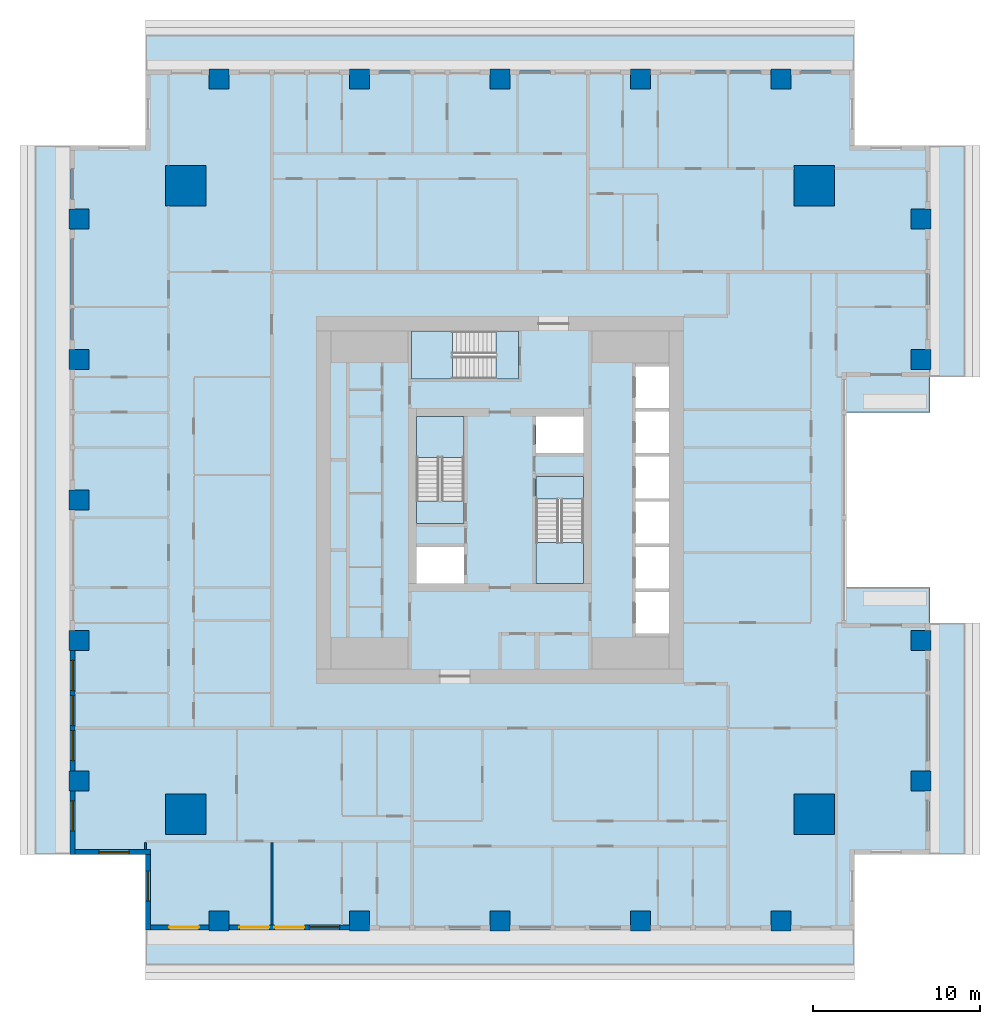
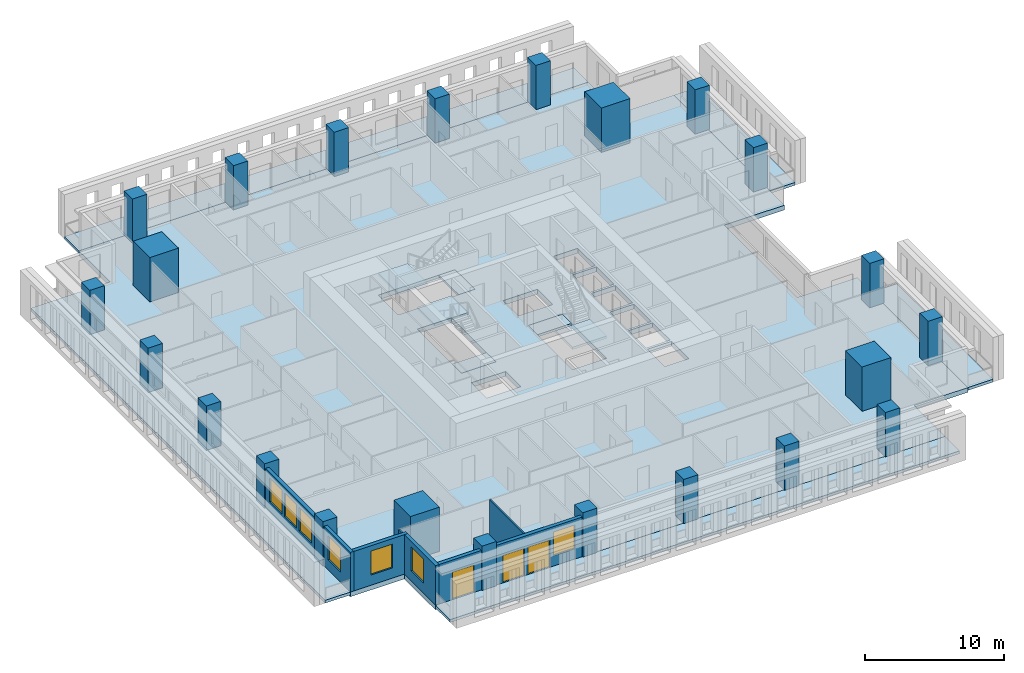
# One storey, part 1 of 16: 23 columns, 12 slabs, 8 walls, 7 windows, 3 doors, 10 openings, 3 elements without a shape of their own.
"""IFC4 building model written with IfcOpenShell, lengths in metres."""

from ifc_helpers import new_model, si_unit, direction, frame, frame_2d, origin, origin_2d, place, context, subcontext, project, spatial, polyline, rectangle, outline, extrude, material, layer, layer_set, material_profile, profile_set, type_object, element, fill, aggregate, save


model = new_model("IFC4")

# Units and contexts
model_context = context("Model", 3, precision=1e-05, world=origin(), true_north=direction((0.0, 1.0)))
body_context = subcontext(model_context, "Body", "Model", "MODEL_VIEW")
ifc_project = project(units=[si_unit("LENGTHUNIT", "METRE"), si_unit("AREAUNIT", "SQUARE_METRE"), si_unit("VOLUMEUNIT", "CUBIC_METRE"), si_unit("PLANEANGLEUNIT", "RADIAN"), si_unit("MASSUNIT", "GRAM", prefix="KILO")], contexts=[model_context])

# Site, building, storey
site_placement = place(None, origin())
site = spatial("IfcSite", under=ifc_project, at=site_placement, CompositionType="ELEMENT")
building_placement = place(site_placement, origin())
building = spatial("IfcBuilding", under=site, at=building_placement, Name="Khepri Terraces", CompositionType="ELEMENT")
storey_placement = place(building_placement, frame((0.0, 0.0, 204.0)))
storey = spatial("IfcBuildingStorey", under=building, at=storey_placement, Name="L48", CompositionType="ELEMENT", Elevation=204.0)

# Columns
ifc_material_1 = material(Name="Concrete C50/60", Category="concrete")
ifc_material_profile_1 = material_profile(ifc_material_1, rectangle(XDim=2.39990234375, YDim=2.39990234375, at=origin_2d()), Name="Concrete C50/60", Category="concrete")
ifc_profile_set_1 = profile_set([ifc_material_profile_1], Name="Concrete C50/60")
column_type_1 = type_object("IfcColumnType", Name="Mega column RC 2400x2400 C50/60", PredefinedType="COLUMN", material=ifc_profile_set_1)
for number, where, z_axis, x_axis, name in (
    (1, (18.800048828125, 18.800048828125, 0.0), (0.0, 0.0, 1.0), (1.0, 0.0, 0.0), "Mega column MEN L48"),
    (2, (18.800048828125, -18.800048828125, 0.0), (0.0, 0.0, 1.0), (1.0, 0.0, 0.0), "Mega column MES L48"),
    (3, (-18.800048828125, 18.800048828125, 0.0), (0.0, 0.0, 1.0), (1.0, 0.0, 0.0), "Mega column MWN L48"),
    (4, (-18.800048828125, -18.800048828125, 0.0), (0.0, 0.0, 1.0), (1.0, 0.0, 0.0), "Mega column MWS L48"),
):
    element("IfcColumn", number, at=place(storey_placement, frame(where, z_axis=z_axis, x_axis=x_axis)), inside=storey, type_object=column_type_1, Name=name, PredefinedType="COLUMN", context=body_context, shape_type="SweptSolid", body=[
        extrude(rectangle(XDim=2.39990234375, YDim=2.39990234375, at=origin_2d()), origin(), (0.0, 0.0, 1.0), 3.89990234375),
    ])
ifc_material_profile_2 = material_profile(ifc_material_1, rectangle(XDim=1.199951171875, YDim=1.199951171875, at=origin_2d()), Name="Concrete C50/60", Category="concrete")
ifc_profile_set_2 = profile_set([ifc_material_profile_2], Name="Concrete C50/60")
column_type_2 = type_object("IfcColumnType", Name="Tower column RC 1200x1200 C50/60", PredefinedType="COLUMN", material=ifc_profile_set_2)
for number, where, z_axis, x_axis, name in (
    (5, (25.199951171875, 8.39990234375, 0.0), (0.0, 0.0, 1.0), (1.0, 0.0, 0.0), "Perimeter column PE+084a L48"),
    (6, (25.199951171875, 16.800048828125, 0.0), (0.0, 0.0, 1.0), (1.0, 0.0, 0.0), "Perimeter column PE+168a L48"),
    (7, (25.199951171875, -8.39990234375, 0.0), (0.0, 0.0, 1.0), (1.0, 0.0, 0.0), "Perimeter column PE-084a L48"),
    (8, (25.199951171875, -16.800048828125, 0.0), (0.0, 0.0, 1.0), (1.0, 0.0, 0.0), "Perimeter column PE-168a L48"),
    (9, (0.0, 25.199951171875, 0.0), (0.0, 0.0, 1.0), (1.0, 0.0, 0.0), "Perimeter column PN+000b L48"),
    (10, (-8.39990234375, 25.199951171875, 0.0), (0.0, 0.0, 1.0), (1.0, 0.0, 0.0), "Perimeter column PN+084b L48"),
    (11, (-16.800048828125, 25.199951171875, 0.0), (0.0, 0.0, 1.0), (1.0, 0.0, 0.0), "Perimeter column PN+168a L48"),
    (12, (8.39990234375, 25.199951171875, 0.0), (0.0, 0.0, 1.0), (1.0, 0.0, 0.0), "Perimeter column PN-084b L48"),
    (13, (16.800048828125, 25.199951171875, 0.0), (0.0, 0.0, 1.0), (1.0, 0.0, 0.0), "Perimeter column PN-168a L48"),
    (14, (0.0, -25.199951171875, 0.0), (0.0, 0.0, 1.0), (1.0, 0.0, 0.0), "Perimeter column PS+000b L48"),
    (15, (8.39990234375, -25.199951171875, 0.0), (0.0, 0.0, 1.0), (1.0, 0.0, 0.0), "Perimeter column PS+084b L48"),
    (16, (16.800048828125, -25.199951171875, 0.0), (0.0, 0.0, 1.0), (1.0, 0.0, 0.0), "Perimeter column PS+168a L48"),
    (17, (-8.39990234375, -25.199951171875, 0.0), (0.0, 0.0, 1.0), (1.0, 0.0, 0.0), "Perimeter column PS-084b L48"),
    (18, (-16.800048828125, -25.199951171875, 0.0), (0.0, 0.0, 1.0), (1.0, 0.0, 0.0), "Perimeter column PS-168a L48"),
    (19, (-25.199951171875, 0.0, 0.0), (0.0, 0.0, 1.0), (1.0, 0.0, 0.0), "Perimeter column PW+000b L48"),
    (20, (-25.199951171875, -8.39990234375, 0.0), (0.0, 0.0, 1.0), (1.0, 0.0, 0.0), "Perimeter column PW+084b L48"),
    (21, (-25.199951171875, -16.800048828125, 0.0), (0.0, 0.0, 1.0), (1.0, 0.0, 0.0), "Perimeter column PW+168a L48"),
    (22, (-25.199951171875, 8.39990234375, 0.0), (0.0, 0.0, 1.0), (1.0, 0.0, 0.0), "Perimeter column PW-084b L48"),
    (23, (-25.199951171875, 16.800048828125, 0.0), (0.0, 0.0, 1.0), (1.0, 0.0, 0.0), "Perimeter column PW-168a L48"),
):
    element("IfcColumn", number, at=place(storey_placement, frame(where, z_axis=z_axis, x_axis=x_axis)), inside=storey, type_object=column_type_2, Name=name, PredefinedType="COLUMN", context=body_context, shape_type="SweptSolid", body=[
        extrude(rectangle(XDim=1.199951171875, YDim=1.199951171875, at=origin_2d()), origin(), (0.0, 0.0, 1.0), 3.89990234375),
    ])

# Slabs
ifc_material_2 = material(Name="Concrete C40/50", Category="concrete")
ifc_layer_1 = layer(ifc_material_2, 0.419921875, Name="Concrete C40/50", Category="concrete")
ifc_layer_set_1 = layer_set([ifc_layer_1], Name="Concrete C40/50")
slab_type_1 = type_object("IfcSlabType", Name="Flat plate 420", PredefinedType="FLOOR", material=ifc_layer_set_1)
slab_1_placement = place(storey_placement, frame((0.0, 0.0, -0.419921875)))
element("IfcSlab", 24, at=slab_1_placement, inside=storey, type_object=slab_type_1, Name="Floor slab F01 L48", PredefinedType="FLOOR", context=body_context, shape_type="SweptSolid", body=[
    extrude(outline(polyline([(21.219970703125, 25.719970703125), (21.219970703125, 21.219970703125), (25.719970703125, 21.219970703125), (25.719970703125, 7.35009765625), (25.719970703125, 5.25), (20.719970703125, 5.25), (20.719970703125, -5.25), (25.719970703125, -5.25), (25.719970703125, -7.35009765625), (25.719970703125, -21.219970703125), (21.219970703125, -21.219970703125), (21.219970703125, -25.719970703125), (-21.219970703125, -25.719970703125), (-21.219970703125, -21.219970703125), (-25.719970703125, -21.219970703125), (-25.719970703125, 21.219970703125), (-21.219970703125, 21.219970703125), (-21.219970703125, 25.719970703125), (21.219970703125, 25.719970703125)]), holes=[polyline([(2.14990234375, 2.800048828125), (5.0, 2.800048828125), (5.0, 5.0), (2.14990234375, 5.0), (2.14990234375, 2.800048828125)]), polyline([(-5.0, -2.800048828125), (-5.0, -5.0), (-2.14990234375, -5.0), (-2.14990234375, -2.800048828125), (-5.0, -2.800048828125)]), polyline([(10.10009765625, -5.5), (8.10009765625, -5.5), (8.10009765625, -8.0), (10.10009765625, -8.0), (10.10009765625, -5.5)]), polyline([(10.10009765625, -5.300048828125), (10.10009765625, -2.800048828125), (8.10009765625, -2.800048828125), (8.10009765625, -5.300048828125), (10.10009765625, -5.300048828125)]), polyline([(8.10009765625, -2.60009765625), (10.10009765625, -2.60009765625), (10.10009765625, -0.10009765625), (8.10009765625, -0.10009765625), (8.10009765625, -2.60009765625)]), polyline([(8.10009765625, 2.60009765625), (8.10009765625, 0.10009765625), (10.10009765625, 0.10009765625), (10.10009765625, 2.60009765625), (8.10009765625, 2.60009765625)]), polyline([(10.10009765625, 5.300048828125), (8.10009765625, 5.300048828125), (8.10009765625, 2.800048828125), (10.10009765625, 2.800048828125), (10.10009765625, 5.300048828125)]), polyline([(10.10009765625, 5.5), (10.10009765625, 8.0), (8.10009765625, 8.0), (8.10009765625, 5.5), (10.10009765625, 5.5)]), polyline([(-5.0, -1.39990234375), (-2.14990234375, -1.39990234375), (-2.14990234375, 5.0), (-5.0, 5.0), (-5.0, -1.39990234375)]), polyline([(5.0, -5.0), (5.0, 1.39990234375), (2.14990234375, 1.39990234375), (2.14990234375, -5.0), (5.0, -5.0)]), polyline([(-5.300048828125, 10.10009765625), (-5.300048828125, 7.25), (1.10009765625, 7.25), (1.10009765625, 10.10009765625), (-5.300048828125, 10.10009765625)])]), origin(), (0.0, 0.0, 1.0), 0.419921875),
])
ifc_material_3 = material(Name="Precast concrete C50/60 warm stone", Category="masonry")
ifc_layer_2 = layer(ifc_material_3, 0.25, Name="Precast concrete C50/60 warm stone", Category="masonry")
ifc_layer_set_2 = layer_set([ifc_layer_2], Name="Precast concrete C50/60 warm stone")
slab_type_2 = type_object("IfcSlabType", Name="SLB-BALCONY-250", PredefinedType="FLOOR", material=ifc_layer_set_2)
slab_2_placement = place(storey_placement, frame((0.0, 0.0, -0.25)))
element("IfcSlab", 25, at=slab_2_placement, inside=storey, type_object=slab_type_2, Name="Balcony slab L48 S", PredefinedType="FLOOR", context=body_context, shape_type="SweptSolid", body=[
    extrude(outline(polyline([(-17.39990234375, -25.719970703125), (-21.219970703125, -25.719970703125), (-21.219970703125, -27.820068359375), (21.219970703125, -27.820068359375), (21.219970703125, -25.719970703125), (17.39990234375, -25.719970703125), (17.39990234375, -25.800048828125), (16.199951171875, -25.800048828125), (16.199951171875, -25.719970703125), (9.0, -25.719970703125), (9.0, -25.800048828125), (7.800048828125, -25.800048828125), (7.800048828125, -25.719970703125), (0.60009765625, -25.719970703125), (0.60009765625, -25.800048828125), (-0.60009765625, -25.800048828125), (-0.60009765625, -25.719970703125), (-7.800048828125, -25.719970703125), (-7.800048828125, -25.800048828125), (-9.0, -25.800048828125), (-9.0, -25.719970703125), (-16.199951171875, -25.719970703125), (-16.199951171875, -25.800048828125), (-17.39990234375, -25.800048828125), (-17.39990234375, -25.719970703125)])), origin(), (0.0, 0.0, 1.0), 0.25),
])
slab_3_placement = place(storey_placement, frame((0.0, 0.0, -0.25)))
element("IfcSlab", 26, at=slab_3_placement, inside=storey, type_object=slab_type_2, Name="Balcony slab L48 E", PredefinedType="FLOOR", context=body_context, shape_type="SweptSolid", body=[
    extrude(outline(polyline([(25.719970703125, -17.39990234375), (25.719970703125, -21.219970703125), (27.820068359375, -21.219970703125), (27.820068359375, -7.35009765625), (25.719970703125, -7.35009765625), (25.719970703125, -7.800048828125), (25.800048828125, -7.800048828125), (25.800048828125, -9.0), (25.719970703125, -9.0), (25.719970703125, -16.199951171875), (25.800048828125, -16.199951171875), (25.800048828125, -17.39990234375), (25.719970703125, -17.39990234375)])), origin(), (0.0, 0.0, 1.0), 0.25),
])
slab_4_placement = place(storey_placement, frame((0.0, 0.0, -0.25)))
element("IfcSlab", 27, at=slab_4_placement, inside=storey, type_object=slab_type_2, Name="Balcony slab L48 E", PredefinedType="FLOOR", context=body_context, shape_type="SweptSolid", body=[
    extrude(outline(polyline([(25.719970703125, 7.800048828125), (25.719970703125, 7.35009765625), (27.820068359375, 7.35009765625), (27.820068359375, 21.219970703125), (25.719970703125, 21.219970703125), (25.719970703125, 17.39990234375), (25.800048828125, 17.39990234375), (25.800048828125, 16.199951171875), (25.719970703125, 16.199951171875), (25.719970703125, 9.0), (25.800048828125, 9.0), (25.800048828125, 7.800048828125), (25.719970703125, 7.800048828125)])), origin(), (0.0, 0.0, 1.0), 0.25),
])
slab_5_placement = place(storey_placement, frame((0.0, 0.0, -0.25)))
element("IfcSlab", 28, at=slab_5_placement, inside=storey, type_object=slab_type_2, Name="Balcony slab L48 N", PredefinedType="FLOOR", context=body_context, shape_type="SweptSolid", body=[
    extrude(outline(polyline([(17.39990234375, 25.719970703125), (21.219970703125, 25.719970703125), (21.219970703125, 27.820068359375), (-21.219970703125, 27.820068359375), (-21.219970703125, 25.719970703125), (-17.39990234375, 25.719970703125), (-17.39990234375, 25.800048828125), (-16.199951171875, 25.800048828125), (-16.199951171875, 25.719970703125), (-9.0, 25.719970703125), (-9.0, 25.800048828125), (-7.800048828125, 25.800048828125), (-7.800048828125, 25.719970703125), (-0.60009765625, 25.719970703125), (-0.60009765625, 25.800048828125), (0.60009765625, 25.800048828125), (0.60009765625, 25.719970703125), (7.800048828125, 25.719970703125), (7.800048828125, 25.800048828125), (9.0, 25.800048828125), (9.0, 25.719970703125), (16.199951171875, 25.719970703125), (16.199951171875, 25.800048828125), (17.39990234375, 25.800048828125), (17.39990234375, 25.719970703125)])), origin(), (0.0, 0.0, 1.0), 0.25),
])
slab_6_placement = place(storey_placement, frame((0.0, 0.0, -0.25)))
element("IfcSlab", 29, at=slab_6_placement, inside=storey, type_object=slab_type_2, Name="Balcony slab L48 W", PredefinedType="FLOOR", context=body_context, shape_type="SweptSolid", body=[
    extrude(outline(polyline([(-25.719970703125, 17.39990234375), (-25.719970703125, 21.219970703125), (-27.820068359375, 21.219970703125), (-27.820068359375, -21.219970703125), (-25.719970703125, -21.219970703125), (-25.719970703125, -17.39990234375), (-25.800048828125, -17.39990234375), (-25.800048828125, -16.199951171875), (-25.719970703125, -16.199951171875), (-25.719970703125, -9.0), (-25.800048828125, -9.0), (-25.800048828125, -7.800048828125), (-25.719970703125, -7.800048828125), (-25.719970703125, -0.60009765625), (-25.800048828125, -0.60009765625), (-25.800048828125, 0.60009765625), (-25.719970703125, 0.60009765625), (-25.719970703125, 7.800048828125), (-25.800048828125, 7.800048828125), (-25.800048828125, 9.0), (-25.719970703125, 9.0), (-25.719970703125, 16.199951171875), (-25.800048828125, 16.199951171875), (-25.800048828125, 17.39990234375), (-25.719970703125, 17.39990234375)])), origin(), (0.0, 0.0, 1.0), 0.25),
])

# Stair, slabs
stair_type = type_object("IfcStairType", Name="STAIR-RC-22R", PredefinedType="HALF_TURN_STAIR", material=ifc_material_2)
stair_1_placement = place(storey_placement, origin())
stair_1 = element("IfcStair", 30, at=stair_1_placement, inside=storey, type_object=stair_type, Name="L48 Exit Stair ST-1", PredefinedType="HALF_TURN_STAIR")
ifc_layer_3 = layer(ifc_material_2, 0.199951171875, Name="Concrete C40/50", Category="concrete")
ifc_layer_set_3 = layer_set([ifc_layer_3], Name="Concrete C40/50")
slab_type_3 = type_object("IfcSlabType", Name="SLB-CORE-LANDING", PredefinedType="LANDING", material=ifc_layer_set_3)
slab_7_placement = place(storey_placement, frame((0.0, 0.0, -0.199951171875)))
slab_7 = element("IfcSlab", 31, at=slab_7_placement, type_object=slab_type_3, Name="ST-1 landing 1", PredefinedType="LANDING", context=body_context, shape_type="SweptSolid", body=[
    extrude(outline(polyline([(-2.14990234375, -1.39990234375), (-2.14990234375, -0.050048828125), (-5.0, -0.050048828125), (-5.0, -1.39990234375), (-2.14990234375, -1.39990234375)])), origin(), (0.0, 0.0, 1.0), 0.199951171875),
])
slab_8_placement = place(storey_placement, frame((0.0, 0.0, 1.75)))
slab_8 = element("IfcSlab", 32, at=slab_8_placement, type_object=slab_type_3, Name="ST-1 landing 2", PredefinedType="LANDING", context=body_context, shape_type="SweptSolid", body=[
    extrude(outline(polyline([(-2.14990234375, 2.550048828125), (-2.14990234375, 5.0), (-5.0, 5.0), (-5.0, 2.550048828125), (-2.14990234375, 2.550048828125)])), origin(), (0.0, 0.0, 1.0), 0.199951171875),
])
aggregate(stair_1, [slab_7, slab_8])

stair_2_placement = place(storey_placement, origin())
stair_2 = element("IfcStair", 33, at=stair_2_placement, inside=storey, type_object=stair_type, Name="L48 Exit Stair ST-2", PredefinedType="HALF_TURN_STAIR")
slab_9_placement = place(storey_placement, frame((0.0, 0.0, -0.199951171875)))
slab_9 = element("IfcSlab", 34, at=slab_9_placement, type_object=slab_type_3, Name="ST-2 landing 1", PredefinedType="LANDING", context=body_context, shape_type="SweptSolid", body=[
    extrude(outline(polyline([(2.14990234375, 1.39990234375), (2.14990234375, 0.050048828125), (5.0, 0.050048828125), (5.0, 1.39990234375), (2.14990234375, 1.39990234375)])), origin(), (0.0, 0.0, 1.0), 0.199951171875),
])
slab_10_placement = place(storey_placement, frame((0.0, 0.0, 1.75)))
slab_10 = element("IfcSlab", 35, at=slab_10_placement, type_object=slab_type_3, Name="ST-2 landing 2", PredefinedType="LANDING", context=body_context, shape_type="SweptSolid", body=[
    extrude(outline(polyline([(2.14990234375, -2.550048828125), (2.14990234375, -5.0), (5.0, -5.0), (5.0, -2.550048828125), (2.14990234375, -2.550048828125)])), origin(), (0.0, 0.0, 1.0), 0.199951171875),
])
aggregate(stair_2, [slab_9, slab_10])

stair_3_placement = place(storey_placement, origin())
stair_3 = element("IfcStair", 36, at=stair_3_placement, inside=storey, type_object=stair_type, Name="L48 Exit Stair ST-3", PredefinedType="HALF_TURN_STAIR")
slab_11_placement = place(storey_placement, frame((0.0, 0.0, -0.199951171875)))
slab_11 = element("IfcSlab", 37, at=slab_11_placement, type_object=slab_type_3, Name="ST-3 landing 1", PredefinedType="LANDING", context=body_context, shape_type="SweptSolid", body=[
    extrude(outline(polyline([(1.10009765625, 10.10009765625), (-0.25, 10.10009765625), (-0.25, 7.25), (1.10009765625, 7.25), (1.10009765625, 10.10009765625)])), origin(), (0.0, 0.0, 1.0), 0.199951171875),
])
slab_12_placement = place(storey_placement, frame((0.0, 0.0, 1.75)))
slab_12 = element("IfcSlab", 38, at=slab_12_placement, type_object=slab_type_3, Name="ST-3 landing 2", PredefinedType="LANDING", context=body_context, shape_type="SweptSolid", body=[
    extrude(outline(polyline([(-2.85009765625, 10.10009765625), (-5.300048828125, 10.10009765625), (-5.300048828125, 7.25), (-2.85009765625, 7.25), (-2.85009765625, 10.10009765625)])), origin(), (0.0, 0.0, 1.0), 0.199951171875),
])
aggregate(stair_3, [slab_11, slab_12])

# Wall, openings, windows
ifc_layer_4 = layer(ifc_material_3, 0.300048828125, Name="Precast concrete C50/60 warm stone", Category="masonry")
ifc_layer_set_4 = layer_set([ifc_layer_4], Name="Precast concrete C50/60 warm stone")
wall_type_1 = type_object("IfcWallType", Name="WL-EXT-PRECAST-300", PredefinedType="STANDARD", material=ifc_layer_set_4)
wall_1_placement = place(storey_placement, frame((-25.570068359375, -9.0, 0.0), z_axis=(0.0, 0.0, 1.0), x_axis=(0.0, -1.0, 0.0)))
wall_1 = element("IfcWall", 39, at=wall_1_placement, inside=storey, type_object=wall_type_1, Name="External wall L48 W", PredefinedType="STANDARD", context=body_context, shape_type="SweptSolid", body=[
    extrude(rectangle(XDim=7.199951171875, YDim=0.300048828125, at=frame_2d((3.60009765625, 0.0))), origin(), (0.0, 0.0, 1.0), 3.47998046875),
])
opening_1_placement = place(wall_1_placement, frame((0.60009765625, 0.0, 0.89990234375)))
opening_1 = element("IfcOpeningElement", 40, at=opening_1_placement, cuts=wall_1, Name="Opening W1", PredefinedType="OPENING", context=body_context, shape_type="SweptSolid", body=[
    extrude(rectangle(XDim=1.800048828125, YDim=2.10009765625, at=frame_2d((0.89990234375, 1.050048828125))), frame((0.0, 0.16015625, 0.0), z_axis=(0.0, -1.0, 0.0), x_axis=(1.0, 0.0, 0.0)), (0.0, 0.0, 1.0), 0.320068359375),
])
opening_2_placement = place(wall_1_placement, frame((2.699951171875, 0.0, 0.89990234375)))
opening_2 = element("IfcOpeningElement", 41, at=opening_2_placement, cuts=wall_1, Name="Opening W1", PredefinedType="OPENING", context=body_context, shape_type="SweptSolid", body=[
    extrude(rectangle(XDim=1.800048828125, YDim=2.10009765625, at=frame_2d((0.89990234375, 1.050048828125))), frame((0.0, 0.16015625, 0.0), z_axis=(0.0, -1.0, 0.0), x_axis=(1.0, 0.0, 0.0)), (0.0, 0.0, 1.0), 0.320068359375),
])
opening_3_placement = place(wall_1_placement, frame((4.800048828125, 0.0, 0.89990234375)))
opening_3 = element("IfcOpeningElement", 42, at=opening_3_placement, cuts=wall_1, Name="Opening W1", PredefinedType="OPENING", context=body_context, shape_type="SweptSolid", body=[
    extrude(rectangle(XDim=1.800048828125, YDim=2.10009765625, at=frame_2d((0.89990234375, 1.050048828125))), frame((0.0, 0.16015625, 0.0), z_axis=(0.0, -1.0, 0.0), x_axis=(1.0, 0.0, 0.0)), (0.0, 0.0, 1.0), 0.320068359375),
])
ifc_material_4 = material(Name="Clear glass", Category="glass")
window_type = type_object("IfcWindowType", Name="WIN-RES-1800x2100", PartitioningType="SINGLE_PANEL", PredefinedType="WINDOW", material=ifc_material_4)
window_1_placement = place(opening_1_placement, origin())
window_1 = element("IfcWindow", 43, at=window_1_placement, inside=storey, type_object=window_type, Name="Window L48 W", OverallHeight=2.10009765625, OverallWidth=1.800048828125, PartitioningType="SINGLE_PANEL", PredefinedType="WINDOW", context=body_context, shape_type="SweptSolid", body=[
    extrude(rectangle(XDim=1.800048828125, YDim=2.10009765625, at=frame_2d((0.89990234375, 1.050048828125))), frame((0.0, 0.030029296875, 0.0), z_axis=(0.0, -1.0, 0.0), x_axis=(1.0, 0.0, 0.0)), (0.0, 0.0, 1.0), 0.06005859375),
])
fill(opening_1, window_1)
window_2_placement = place(opening_2_placement, origin())
window_2 = element("IfcWindow", 44, at=window_2_placement, inside=storey, type_object=window_type, Name="Window L48 W", OverallHeight=2.10009765625, OverallWidth=1.800048828125, PartitioningType="SINGLE_PANEL", PredefinedType="WINDOW", context=body_context, shape_type="SweptSolid", body=[
    extrude(rectangle(XDim=1.800048828125, YDim=2.10009765625, at=frame_2d((0.89990234375, 1.050048828125))), frame((0.0, 0.030029296875, 0.0), z_axis=(0.0, -1.0, 0.0), x_axis=(1.0, 0.0, 0.0)), (0.0, 0.0, 1.0), 0.06005859375),
])
fill(opening_2, window_2)
window_3_placement = place(opening_3_placement, origin())
window_3 = element("IfcWindow", 45, at=window_3_placement, inside=storey, type_object=window_type, Name="Window L48 W", OverallHeight=2.10009765625, OverallWidth=1.800048828125, PartitioningType="SINGLE_PANEL", PredefinedType="WINDOW", context=body_context, shape_type="SweptSolid", body=[
    extrude(rectangle(XDim=1.800048828125, YDim=2.10009765625, at=frame_2d((0.89990234375, 1.050048828125))), frame((0.0, 0.030029296875, 0.0), z_axis=(0.0, -1.0, 0.0), x_axis=(1.0, 0.0, 0.0)), (0.0, 0.0, 1.0), 0.06005859375),
])
fill(opening_3, window_3)

# Wall, opening, window
wall_2_placement = place(storey_placement, frame((-25.570068359375, -17.39990234375, 0.0), z_axis=(0.0, 0.0, 1.0), x_axis=(0.0, -1.0, 0.0)))
wall_2 = element("IfcWall", 46, at=wall_2_placement, inside=storey, type_object=wall_type_1, Name="External wall L48 W", PredefinedType="STANDARD", context=body_context, shape_type="SweptSolid", body=[
    extrude(rectangle(XDim=3.820068359375, YDim=0.300048828125, at=frame_2d((1.91015625, 0.0))), origin(), (0.0, 0.0, 1.0), 3.47998046875),
])
opening_4_placement = place(wall_2_placement, frame((0.60009765625, 0.0, 0.89990234375)))
opening_4 = element("IfcOpeningElement", 47, at=opening_4_placement, cuts=wall_2, Name="Opening W1", PredefinedType="OPENING", context=body_context, shape_type="SweptSolid", body=[
    extrude(rectangle(XDim=1.800048828125, YDim=2.10009765625, at=frame_2d((0.89990234375, 1.050048828125))), frame((0.0, 0.16015625, 0.0), z_axis=(0.0, -1.0, 0.0), x_axis=(1.0, 0.0, 0.0)), (0.0, 0.0, 1.0), 0.320068359375),
])
window_4_placement = place(opening_4_placement, origin())
window_4 = element("IfcWindow", 48, at=window_4_placement, inside=storey, type_object=window_type, Name="Window L48 W", OverallHeight=2.10009765625, OverallWidth=1.800048828125, PartitioningType="SINGLE_PANEL", PredefinedType="WINDOW", context=body_context, shape_type="SweptSolid", body=[
    extrude(rectangle(XDim=1.800048828125, YDim=2.10009765625, at=frame_2d((0.89990234375, 1.050048828125))), frame((0.0, 0.030029296875, 0.0), z_axis=(0.0, -1.0, 0.0), x_axis=(1.0, 0.0, 0.0)), (0.0, 0.0, 1.0), 0.06005859375),
])
fill(opening_4, window_4)

wall_3_placement = place(storey_placement, frame((-25.419921875, -21.070068359375, 0.0), z_axis=(0.0, 0.0, 1.0), x_axis=(1.0, 0.0, 0.0)))
wall_3 = element("IfcWall", 49, at=wall_3_placement, inside=storey, type_object=wall_type_1, Name="External wall L48 S", PredefinedType="STANDARD", context=body_context, shape_type="SweptSolid", body=[
    extrude(rectangle(XDim=4.5, YDim=0.300048828125, at=frame_2d((2.25, 0.0))), origin(), (0.0, 0.0, 1.0), 3.47998046875),
])
opening_5_placement = place(wall_3_placement, frame((1.419921875, 0.0, 0.89990234375)))
opening_5 = element("IfcOpeningElement", 50, at=opening_5_placement, cuts=wall_3, Name="Opening W1", PredefinedType="OPENING", context=body_context, shape_type="SweptSolid", body=[
    extrude(rectangle(XDim=1.800048828125, YDim=2.10009765625, at=frame_2d((0.89990234375, 1.050048828125))), frame((0.0, 0.16015625, 0.0), z_axis=(0.0, -1.0, 0.0), x_axis=(1.0, 0.0, 0.0)), (0.0, 0.0, 1.0), 0.320068359375),
])
window_5_placement = place(opening_5_placement, origin())
window_5 = element("IfcWindow", 51, at=window_5_placement, inside=storey, type_object=window_type, Name="Window L48 S", OverallHeight=2.10009765625, OverallWidth=1.800048828125, PartitioningType="SINGLE_PANEL", PredefinedType="WINDOW", context=body_context, shape_type="SweptSolid", body=[
    extrude(rectangle(XDim=1.800048828125, YDim=2.10009765625, at=frame_2d((0.89990234375, 1.050048828125))), frame((0.0, 0.030029296875, 0.0), z_axis=(0.0, -1.0, 0.0), x_axis=(1.0, 0.0, 0.0)), (0.0, 0.0, 1.0), 0.06005859375),
])
fill(opening_5, window_5)

wall_4_placement = place(storey_placement, frame((-21.070068359375, -21.219970703125, 0.0), z_axis=(0.0, 0.0, 1.0), x_axis=(0.0, -1.0, 0.0)))
wall_4 = element("IfcWall", 52, at=wall_4_placement, inside=storey, type_object=wall_type_1, Name="External wall L48 W", PredefinedType="STANDARD", context=body_context, shape_type="SweptSolid", body=[
    extrude(rectangle(XDim=4.5, YDim=0.300048828125, at=frame_2d((2.25, 0.0))), origin(), (0.0, 0.0, 1.0), 3.47998046875),
])
opening_6_placement = place(wall_4_placement, frame((0.97998046875, 0.0, 0.89990234375)))
opening_6 = element("IfcOpeningElement", 53, at=opening_6_placement, cuts=wall_4, Name="Opening W1", PredefinedType="OPENING", context=body_context, shape_type="SweptSolid", body=[
    extrude(rectangle(XDim=1.800048828125, YDim=2.10009765625, at=frame_2d((0.89990234375, 1.050048828125))), frame((0.0, 0.16015625, 0.0), z_axis=(0.0, -1.0, 0.0), x_axis=(1.0, 0.0, 0.0)), (0.0, 0.0, 1.0), 0.320068359375),
])
window_6_placement = place(opening_6_placement, origin())
window_6 = element("IfcWindow", 54, at=window_6_placement, inside=storey, type_object=window_type, Name="Window L48 W", OverallHeight=2.10009765625, OverallWidth=1.800048828125, PartitioningType="SINGLE_PANEL", PredefinedType="WINDOW", context=body_context, shape_type="SweptSolid", body=[
    extrude(rectangle(XDim=1.800048828125, YDim=2.10009765625, at=frame_2d((0.89990234375, 1.050048828125))), frame((0.0, 0.030029296875, 0.0), z_axis=(0.0, -1.0, 0.0), x_axis=(1.0, 0.0, 0.0)), (0.0, 0.0, 1.0), 0.06005859375),
])
fill(opening_6, window_6)

# Wall, opening, door
wall_5_placement = place(storey_placement, frame((-20.919921875, -25.570068359375, 0.0), z_axis=(0.0, 0.0, 1.0), x_axis=(1.0, 0.0, 0.0)))
wall_5 = element("IfcWall", 55, at=wall_5_placement, inside=storey, type_object=wall_type_1, Name="External wall L48 S", PredefinedType="STANDARD", context=body_context, shape_type="SweptSolid", body=[
    extrude(rectangle(XDim=3.52001953125, YDim=0.300048828125, at=frame_2d((1.760009765625, 0.0))), origin(), (0.0, 0.0, 1.0), 3.47998046875),
])
opening_7_placement = place(wall_5_placement, frame((1.1201171875, 0.0, 0.0)))
opening_7 = element("IfcOpeningElement", 56, at=opening_7_placement, cuts=wall_5, Name="Opening ED-L48-15", PredefinedType="OPENING", context=body_context, shape_type="SweptSolid", body=[
    extrude(rectangle(XDim=1.800048828125, YDim=2.39990234375, at=frame_2d((0.89990234375, 1.199951171875))), frame((0.0, 0.16015625, 0.0), z_axis=(0.0, -1.0, 0.0), x_axis=(1.0, 0.0, 0.0)), (0.0, 0.0, 1.0), 0.320068359375),
])
ifc_material_5 = material(Name="Anodised aluminium bronze glazed door", Category="aluminium")
door_type = type_object("IfcDoorType", Name="DR-BAL-SLIDE-1800x2400", OperationType="NOTDEFINED", PredefinedType="DOOR", material=ifc_material_5)
door_1_placement = place(opening_7_placement, origin())
door_1 = element("IfcDoor", 57, at=door_1_placement, inside=storey, type_object=door_type, Name="Balcony door L48 S", OperationType="SLIDING_TO_RIGHT", OverallHeight=2.39990234375, OverallWidth=1.800048828125, PredefinedType="DOOR", context=body_context, shape_type="SweptSolid", body=[
    extrude(rectangle(XDim=1.800048828125, YDim=2.39990234375, at=frame_2d((0.89990234375, 1.199951171875))), frame((0.0, 0.02490234375, 0.0), z_axis=(0.0, -1.0, 0.0), x_axis=(1.0, 0.0, 0.0)), (0.0, 0.0, 1.0), 0.050048828125),
])
fill(opening_7, door_1)

# Wall, openings, doors, window
wall_6_placement = place(storey_placement, frame((-16.199951171875, -25.570068359375, 0.0), z_axis=(0.0, 0.0, 1.0), x_axis=(1.0, 0.0, 0.0)))
wall_6 = element("IfcWall", 58, at=wall_6_placement, inside=storey, type_object=wall_type_1, Name="External wall L48 S", PredefinedType="STANDARD", context=body_context, shape_type="SweptSolid", body=[
    extrude(rectangle(XDim=7.199951171875, YDim=0.300048828125, at=frame_2d((3.60009765625, 0.0))), origin(), (0.0, 0.0, 1.0), 3.47998046875),
])
opening_8_placement = place(wall_6_placement, frame((0.60009765625, 0.0, 0.0)))
opening_8 = element("IfcOpeningElement", 59, at=opening_8_placement, cuts=wall_6, Name="Opening ED-L48-16", PredefinedType="OPENING", context=body_context, shape_type="SweptSolid", body=[
    extrude(rectangle(XDim=1.800048828125, YDim=2.39990234375, at=frame_2d((0.89990234375, 1.199951171875))), frame((0.0, 0.16015625, 0.0), z_axis=(0.0, -1.0, 0.0), x_axis=(1.0, 0.0, 0.0)), (0.0, 0.0, 1.0), 0.320068359375),
])
opening_9_placement = place(wall_6_placement, frame((2.699951171875, 0.0, 0.0)))
opening_9 = element("IfcOpeningElement", 60, at=opening_9_placement, cuts=wall_6, Name="Opening ED-L48-17", PredefinedType="OPENING", context=body_context, shape_type="SweptSolid", body=[
    extrude(rectangle(XDim=1.800048828125, YDim=2.39990234375, at=frame_2d((0.89990234375, 1.199951171875))), frame((0.0, 0.16015625, 0.0), z_axis=(0.0, -1.0, 0.0), x_axis=(1.0, 0.0, 0.0)), (0.0, 0.0, 1.0), 0.320068359375),
])
opening_10_placement = place(wall_6_placement, frame((4.800048828125, 0.0, 0.89990234375)))
opening_10 = element("IfcOpeningElement", 61, at=opening_10_placement, cuts=wall_6, Name="Opening W1", PredefinedType="OPENING", context=body_context, shape_type="SweptSolid", body=[
    extrude(rectangle(XDim=1.800048828125, YDim=2.10009765625, at=frame_2d((0.89990234375, 1.050048828125))), frame((0.0, 0.16015625, 0.0), z_axis=(0.0, -1.0, 0.0), x_axis=(1.0, 0.0, 0.0)), (0.0, 0.0, 1.0), 0.320068359375),
])
door_2_placement = place(opening_8_placement, origin())
door_2 = element("IfcDoor", 62, at=door_2_placement, inside=storey, type_object=door_type, Name="Balcony door L48 S", OperationType="SLIDING_TO_LEFT", OverallHeight=2.39990234375, OverallWidth=1.800048828125, PredefinedType="DOOR", context=body_context, shape_type="SweptSolid", body=[
    extrude(rectangle(XDim=1.800048828125, YDim=2.39990234375, at=frame_2d((0.89990234375, 1.199951171875))), frame((0.0, 0.02490234375, 0.0), z_axis=(0.0, -1.0, 0.0), x_axis=(1.0, 0.0, 0.0)), (0.0, 0.0, 1.0), 0.050048828125),
])
fill(opening_8, door_2)
door_3_placement = place(opening_9_placement, origin())
door_3 = element("IfcDoor", 63, at=door_3_placement, inside=storey, type_object=door_type, Name="Balcony door L48 S", OperationType="SLIDING_TO_RIGHT", OverallHeight=2.39990234375, OverallWidth=1.800048828125, PredefinedType="DOOR", context=body_context, shape_type="SweptSolid", body=[
    extrude(rectangle(XDim=1.800048828125, YDim=2.39990234375, at=frame_2d((0.89990234375, 1.199951171875))), frame((0.0, 0.02490234375, 0.0), z_axis=(0.0, -1.0, 0.0), x_axis=(1.0, 0.0, 0.0)), (0.0, 0.0, 1.0), 0.050048828125),
])
fill(opening_9, door_3)
window_7_placement = place(opening_10_placement, origin())
window_7 = element("IfcWindow", 64, at=window_7_placement, inside=storey, type_object=window_type, Name="Window L48 S", OverallHeight=2.10009765625, OverallWidth=1.800048828125, PartitioningType="SINGLE_PANEL", PredefinedType="WINDOW", context=body_context, shape_type="SweptSolid", body=[
    extrude(rectangle(XDim=1.800048828125, YDim=2.10009765625, at=frame_2d((0.89990234375, 1.050048828125))), frame((0.0, 0.030029296875, 0.0), z_axis=(0.0, -1.0, 0.0), x_axis=(1.0, 0.0, 0.0)), (0.0, 0.0, 1.0), 0.06005859375),
])
fill(opening_10, window_7)

# Walls
ifc_material_6 = material(Name="Gypsum plasterboard partition")
ifc_layer_5 = layer(ifc_material_6, 0.1201171875, Name="Gypsum plasterboard partition")
ifc_layer_set_5 = layer_set([ifc_layer_5], Name="Gypsum plasterboard partition")
wall_type_2 = type_object("IfcWallType", Name="WL-PART-120", PredefinedType="PARTITIONING", material=ifc_layer_set_5)
wall_7_placement = place(storey_placement, frame((-13.64990234375, -25.419921875, 0.0), z_axis=(0.0, 0.0, 1.0), x_axis=(0.0, 1.0, 0.0)))
element("IfcWall", 65, at=wall_7_placement, inside=storey, type_object=wall_type_2, Name="Partition P-001 L48", PredefinedType="PARTITIONING", context=body_context, shape_type="SweptSolid", body=[
    extrude(rectangle(XDim=4.93994140625, YDim=0.1201171875, at=frame_2d((2.469970703125, 0.0))), origin(), (0.0, 0.0, 1.0), 3.47998046875),
])
wall_8_placement = place(storey_placement, frame((-21.218994140625, -20.9208984375, 0.0), z_axis=(0.0, 0.0, 1.0), x_axis=(0.0, 1.0, 0.0)))
element("IfcWall", 66, at=wall_8_placement, inside=storey, type_object=wall_type_2, Name="Partition P-010 L48", PredefinedType="PARTITIONING", context=body_context, shape_type="SweptSolid", body=[
    extrude(rectangle(XDim=0.44091796875, YDim=0.1201171875, at=frame_2d((0.220458984375, 0.0))), origin(), (0.0, 0.0, 1.0), 3.47998046875),
])

save(model, "model.ifc")
